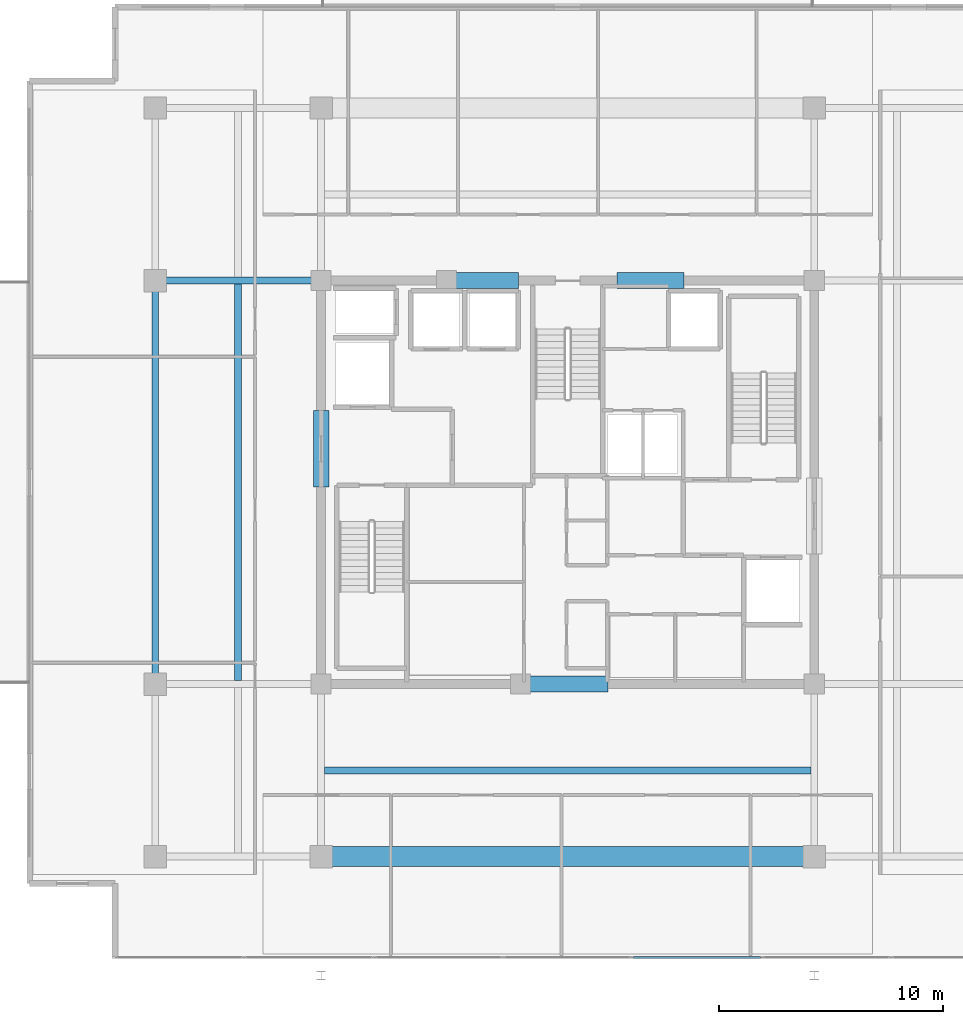
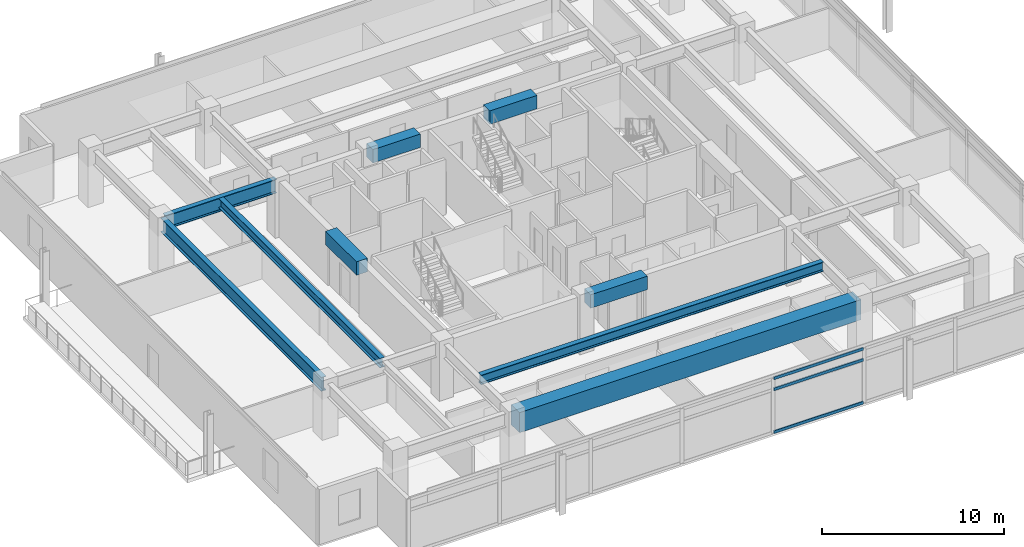
# One storey, part 4 of 18: 9 beams, 3 members, 1 element without a shape of its own.
"""IFC4 building model written with IfcOpenShell, lengths in metres."""

from ifc_helpers import new_model, si_unit, direction, frame, origin, origin_2d, place, context, subcontext, project, spatial, rectangle, hollow_rectangle, i_section, extrude, material, material_profile, profile_set, type_object, element, aggregate, save


model = new_model("IFC4")

# Units and contexts
model_context = context("Model", 3, precision=1e-05, world=origin(), true_north=direction((0.0, 1.0)))
body_context = subcontext(model_context, "Body", "Model", "MODEL_VIEW")
ifc_project = project(units=[si_unit("LENGTHUNIT", "METRE"), si_unit("AREAUNIT", "SQUARE_METRE"), si_unit("VOLUMEUNIT", "CUBIC_METRE"), si_unit("PLANEANGLEUNIT", "RADIAN"), si_unit("MASSUNIT", "GRAM", prefix="KILO")], contexts=[model_context])

# Site, building, storey
site_placement = place(None, origin())
site = spatial("IfcSite", under=ifc_project, at=site_placement, CompositionType="ELEMENT")
building_placement = place(site_placement, origin())
building = spatial("IfcBuilding", under=site, at=building_placement, Name="Kovane Verandah Tower", CompositionType="ELEMENT")
storey_placement = place(building_placement, frame((0.0, 0.0, 338.800048828125)))
storey = spatial("IfcBuildingStorey", under=building, at=storey_placement, Name="L79", CompositionType="ELEMENT", Elevation=338.800048828125)

# Beams
ifc_material_1 = material(Name="Concrete C60/75", Category="concrete")
ifc_material_profile_1 = material_profile(ifc_material_1, rectangle(XDim=0.699951171875, YDim=0.89990234375, at=origin_2d()), Name="RCB700x900")
ifc_profile_set_1 = profile_set([ifc_material_profile_1], Name="Concrete C60/75")
beam_type_1 = type_object("IfcBeamType", Name="BM-LINTEL-700x900", PredefinedType="LINTEL", material=ifc_profile_set_1)
beam_1_placement = place(storey_placement, frame((38.199951171875, 18.5, 3.25), z_axis=(1.0, 0.0, 0.0), x_axis=(0.0, 1.0, 0.0)))
element("IfcBeam", 1, at=beam_1_placement, inside=storey, type_object=beam_type_1, Name="L79 Core Coupling Lintel CL-S", PredefinedType="LINTEL", context=body_context, shape_type="SweptSolid", body=[
    extrude(rectangle(XDim=0.699951171875, YDim=0.89990234375, at=origin_2d()), origin(), (0.0, 0.0, 1.0), 3.60009765625),
])
for number, where, z_axis, x_axis, name in (
    (2, (34.800048828125, 36.5, 3.25), (1.0, 0.0, 0.0), (0.0, 1.0, 0.0), "L79 Core Coupling Lintel CL-N1"),
    (3, (42.199951171875, 36.5, 3.25), (1.0, 0.0, 0.0), (0.0, 1.0, 0.0), "L79 Core Coupling Lintel CL-N2"),
):
    element("IfcBeam", number, at=place(storey_placement, frame(where, z_axis=z_axis, x_axis=x_axis)), inside=storey, type_object=beam_type_1, Name=name, PredefinedType="LINTEL", context=body_context, shape_type="SweptSolid", body=[
        extrude(rectangle(XDim=0.699951171875, YDim=0.89990234375, at=origin_2d()), origin(), (0.0, 0.0, 1.0), 3.0),
    ])
beam_2_placement = place(storey_placement, frame((29.0, 27.300048828125, 3.25), z_axis=(0.0, 1.0, 0.0), x_axis=(-1.0, 0.0, 0.0)))
element("IfcBeam", 4, at=beam_2_placement, inside=storey, type_object=beam_type_1, Name="L79 Core Coupling Lintel CL-W", PredefinedType="LINTEL", context=body_context, shape_type="SweptSolid", body=[
    extrude(rectangle(XDim=0.699951171875, YDim=0.89990234375, at=origin_2d()), origin(), (0.0, 0.0, 1.0), 3.39990234375),
])
ifc_material_2 = material(Name="Concrete C80/95", Category="concrete")
ifc_material_profile_2 = material_profile(ifc_material_2, rectangle(XDim=0.89990234375, YDim=1.35009765625, at=origin_2d()), Name="RCB900x1350")
ifc_profile_set_2 = profile_set([ifc_material_profile_2], Name="Concrete C80/95")
beam_type_2 = type_object("IfcBeamType", Name="BM-TR-900x1350", PredefinedType="BEAM", material=ifc_profile_set_2)
beam_3_placement = place(storey_placement, frame((29.179931640625, 10.800048828125, 3.02490234375), z_axis=(1.0, 0.0, 0.0), x_axis=(0.0, 1.0, 0.0)))
element("IfcBeam", 5, at=beam_3_placement, inside=storey, type_object=beam_type_2, Name="L79 Primary Tower Girder G-RS2", PredefinedType="BEAM", context=body_context, shape_type="SweptSolid", body=[
    extrude(rectangle(XDim=0.89990234375, YDim=1.35009765625, at=origin_2d()), origin(), (0.0, 0.0, 1.0), 21.64013671875),
])
ifc_material_3 = material(Name="Steel S460", Category="steel")
ifc_material_profile_3 = material_profile(ifc_material_3, i_section(OverallWidth=0.311279296875, OverallDepth=0.6357421875, WebThickness=0.018310546875, FlangeThickness=0.031494140625, FilletRadius=0.0166015625, at=origin_2d()), Name="UB610x305x238")
ifc_profile_set_3 = profile_set([ifc_material_profile_3], Name="Steel S460")
beam_type_3 = type_object("IfcBeamType", Name="BM-UB610x238", PredefinedType="BEAM", material=ifc_profile_set_3)
beam_4_placement = place(storey_placement, frame((29.15185546875, 14.64990234375, 3.382080078125), z_axis=(1.0, 0.0, 0.0), x_axis=(0.0, 1.0, 0.0)))
element("IfcBeam", 6, at=beam_4_placement, inside=storey, type_object=beam_type_3, Name="L79 Secondary Composite Joist J-S1", PredefinedType="BEAM", context=body_context, shape_type="SweptSolid", body=[
    extrude(i_section(OverallWidth=0.311279296875, OverallDepth=0.6357421875, WebThickness=0.018310546875, FlangeThickness=0.031494140625, FilletRadius=0.0166015625, at=origin_2d()), origin(), (0.0, 0.0, 1.0), 21.6962890625),
])
beam_5_placement = place(storey_placement, frame((25.300048828125, 18.65185546875, 3.382080078125), z_axis=(0.0, 1.0, 0.0), x_axis=(-1.0, 0.0, 0.0)))
element("IfcBeam", 7, at=beam_5_placement, inside=storey, type_object=beam_type_3, Name="L79 Secondary Composite Joist J-W1", PredefinedType="BEAM", context=body_context, shape_type="SweptSolid", body=[
    extrude(i_section(OverallWidth=0.311279296875, OverallDepth=0.6357421875, WebThickness=0.018310546875, FlangeThickness=0.031494140625, FilletRadius=0.0166015625, at=origin_2d()), origin(), (0.0, 0.0, 1.0), 17.6962890625),
])
ifc_material_profile_4 = material_profile(ifc_material_3, i_section(OverallWidth=0.3076171875, OverallDepth=0.926513671875, WebThickness=0.01953125, FlangeThickness=0.031982421875, FilletRadius=0.01904296875, at=origin_2d()), Name="UB914x305x289")
ifc_profile_set_4 = profile_set([ifc_material_profile_4], Name="Steel S460")
beam_type_4 = type_object("IfcBeamType", Name="BM-UB914x289", PredefinedType="BEAM", material=ifc_profile_set_4)
beam_6_placement = place(storey_placement, frame((21.60009765625, 18.679931640625, 3.236572265625), z_axis=(0.0, 1.0, 0.0), x_axis=(-1.0, 0.0, 0.0)))
element("IfcBeam", 8, at=beam_6_placement, inside=storey, type_object=beam_type_4, Name="L79 Primary Tower Girder G-RW2", PredefinedType="BEAM", context=body_context, shape_type="SweptSolid", body=[
    extrude(i_section(OverallWidth=0.3076171875, OverallDepth=0.926513671875, WebThickness=0.01953125, FlangeThickness=0.031982421875, FilletRadius=0.01904296875, at=origin_2d()), origin(), (0.0, 0.0, 1.0), 17.64013671875),
])
beam_7_placement = place(storey_placement, frame((28.820068359375, 36.5, 3.236572265625), z_axis=(-1.0, 0.0, 0.0), x_axis=(0.0, -1.0, 0.0)))
element("IfcBeam", 9, at=beam_7_placement, inside=storey, type_object=beam_type_4, Name="L79 Primary Tower Girder G-W2", PredefinedType="BEAM", context=body_context, shape_type="SweptSolid", body=[
    extrude(i_section(OverallWidth=0.3076171875, OverallDepth=0.926513671875, WebThickness=0.01953125, FlangeThickness=0.031982421875, FilletRadius=0.01904296875, at=origin_2d()), origin(), (0.0, 0.0, 1.0), 7.0400390625),
])

# Curtain wall, members
ifc_material_4 = material(Name="Champagne Anodised Aluminium Frame with Low-E Clear Laminated Glass", Category="aluminium")
curtain_wall_type = type_object("IfcCurtainWallType", Name="CW-SYS-05-HIGH", PredefinedType="NOTDEFINED", material=ifc_material_4)
curtain_wall_placement = place(storey_placement, origin())
curtain_wall = element("IfcCurtainWall", 10, at=curtain_wall_placement, inside=storey, type_object=curtain_wall_type, Name="L79 S Unitised Curtain Wall", PredefinedType="NOTDEFINED")
ifc_material_5 = material(Name="Champagne Anodised Aluminium 6063-T6", Category="aluminium")
ifc_material_profile_5 = material_profile(ifc_material_5, hollow_rectangle(XDim=0.0849609375, YDim=0.18994140625, WallThickness=0.00390625, at=origin_2d()), Name="AL85x190x4")
ifc_profile_set_5 = profile_set([ifc_material_profile_5], Name="Champagne Anodised Aluminium 6063-T6")
member_type = type_object("IfcMemberType", Name="CW-TRN-85x190", PredefinedType="USERDEFINED", material=ifc_profile_set_5)
member_1_placement = place(storey_placement, frame((42.935791015625, 6.300048828125, 0.050048828125), z_axis=(1.0, 0.0, 0.0), x_axis=(0.0, 1.0, 0.0)))
member_1 = element("IfcMember", 11, at=member_1_placement, type_object=member_type, Name="L79 S Unitised Curtain Wall Transom TB Bay 5", ObjectType="TRANSOM", PredefinedType="USERDEFINED", context=body_context, shape_type="SweptSolid", body=[
    extrude(hollow_rectangle(XDim=0.0849609375, YDim=0.18994140625, WallThickness=0.00390625, at=origin_2d()), origin(), (0.0, 0.0, 1.0), 5.67138671875),
])
member_2_placement = place(storey_placement, frame((42.935791015625, 6.300048828125, 2.919921875), z_axis=(1.0, 0.0, 0.0), x_axis=(0.0, 1.0, 0.0)))
member_2 = element("IfcMember", 12, at=member_2_placement, type_object=member_type, Name="L79 S Unitised Curtain Wall Transom TM Bay 5", ObjectType="TRANSOM", PredefinedType="USERDEFINED", context=body_context, shape_type="SweptSolid", body=[
    extrude(hollow_rectangle(XDim=0.0849609375, YDim=0.18994140625, WallThickness=0.00390625, at=origin_2d()), origin(), (0.0, 0.0, 1.0), 5.67138671875),
])
member_3_placement = place(storey_placement, frame((42.935791015625, 6.300048828125, 3.64990234375), z_axis=(1.0, 0.0, 0.0), x_axis=(0.0, 1.0, 0.0)))
member_3 = element("IfcMember", 13, at=member_3_placement, type_object=member_type, Name="L79 S Unitised Curtain Wall Transom TT Bay 5", ObjectType="TRANSOM", PredefinedType="USERDEFINED", context=body_context, shape_type="SweptSolid", body=[
    extrude(hollow_rectangle(XDim=0.0849609375, YDim=0.18994140625, WallThickness=0.00390625, at=origin_2d()), origin(), (0.0, 0.0, 1.0), 5.67138671875),
])
aggregate(curtain_wall, [member_1, member_2, member_3])

save(model, "model.ifc")
